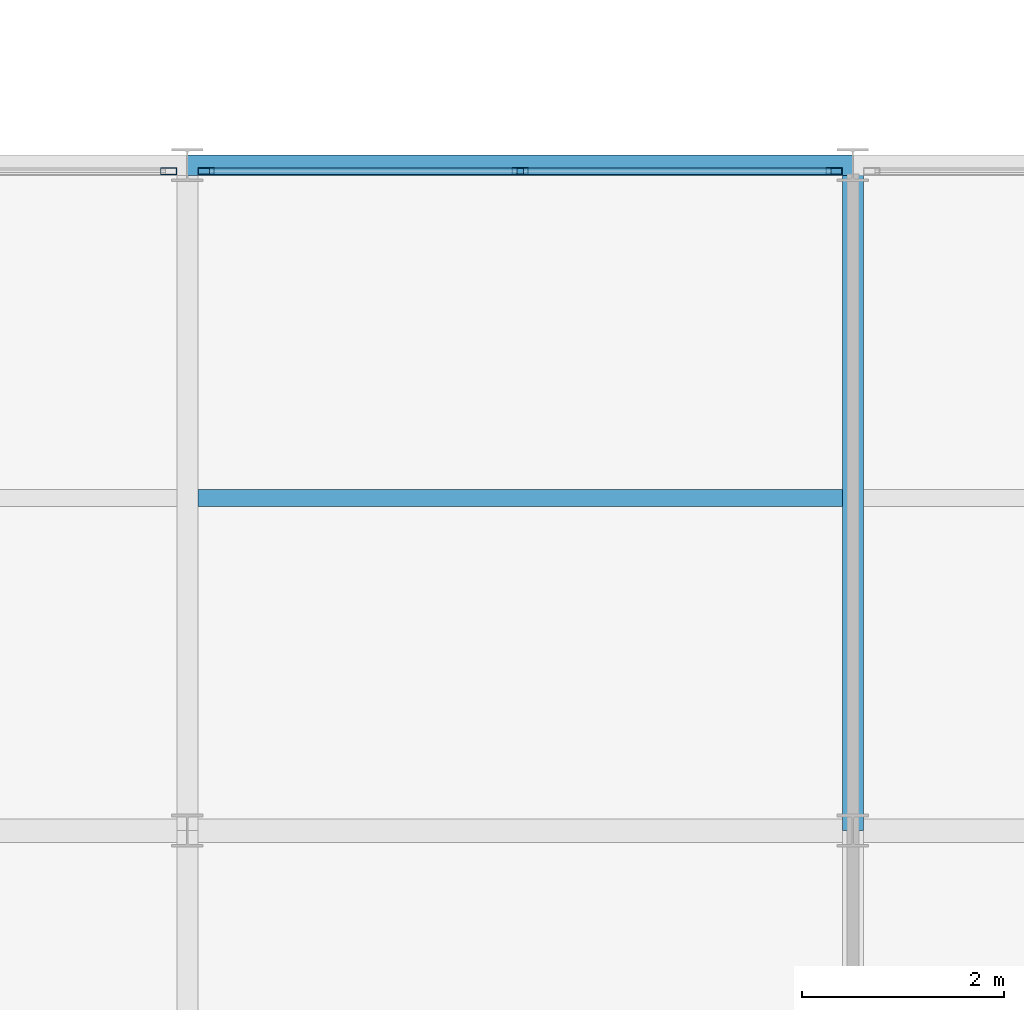
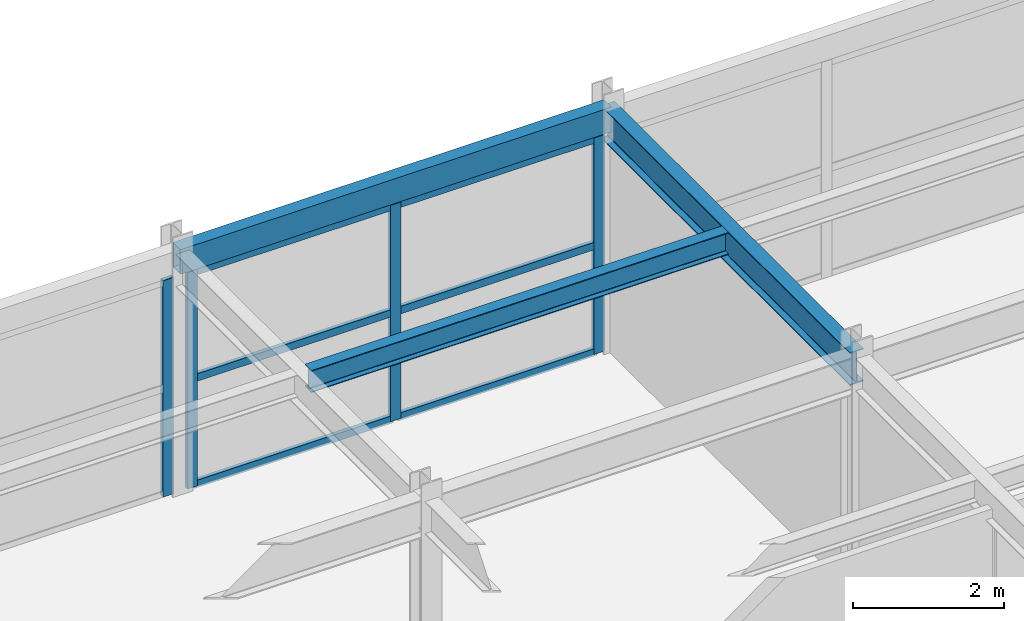
# One storey, part 76 of 106: 10 members, 3 beams, 2 elements without a shape of their own.
"""IFC4 building model written with IfcOpenShell, lengths in metres."""

from ifc_helpers import new_model, si_unit, direction, frame, origin, origin_2d, place, context, subcontext, project, spatial, hollow_rectangle, i_section, extrude, material, material_profile, profile_set, type_object, element, aggregate, save


model = new_model("IFC4")

# Units and contexts
model_context = context("Model", 3, precision=1e-05, world=origin(), true_north=direction((0.0, 1.0)))
body_context = subcontext(model_context, "Body", "Model", "MODEL_VIEW")
ifc_project = project(units=[si_unit("LENGTHUNIT", "METRE"), si_unit("AREAUNIT", "SQUARE_METRE"), si_unit("VOLUMEUNIT", "CUBIC_METRE"), si_unit("PLANEANGLEUNIT", "RADIAN"), si_unit("MASSUNIT", "GRAM", prefix="KILO")], contexts=[model_context])

# Site, building, storey
site_placement = place(None, origin())
site = spatial("IfcSite", under=ifc_project, at=site_placement, CompositionType="ELEMENT")
building_placement = place(site_placement, origin())
building = spatial("IfcBuilding", under=site, at=building_placement, Name="Karori Crest Natural Sciences Institute", CompositionType="ELEMENT")
storey_placement = place(building_placement, frame((0.0, 0.0, 25.89990234375)))
storey = spatial("IfcBuildingStorey", under=building, at=storey_placement, Name="L06", CompositionType="ELEMENT", Elevation=25.89990234375)

# Beams
ifc_material_1 = material(Name="Structural steel AS/NZS 3679.1 Grade 350", Category="steel")
ifc_material_profile_1 = material_profile(ifc_material_1, i_section(OverallWidth=0.208984375, OverallDepth=0.532958984375, WebThickness=0.01025390625, FlangeThickness=0.015625, FilletRadius=0.013916015625, at=origin_2d()), Name="530UB92.4")
ifc_profile_set_1 = profile_set([ifc_material_profile_1], Name="Structural steel AS/NZS 3679.1 Grade 350")
beam_type_1 = type_object("IfcBeamType", Name="BT-05", PredefinedType="BEAM", material=ifc_profile_set_1)
beam_1_placement = place(storey_placement, frame((143.199951171875, 14.0, 3.653564453125), z_axis=(0.0, 1.0, 0.0), x_axis=(-1.0, 0.0, 0.0)))
element("IfcBeam", 1, at=beam_1_placement, inside=storey, type_object=beam_type_1, Name="Beam B-2591", PredefinedType="BEAM", context=body_context, shape_type="SweptSolid", body=[
    extrude(i_section(OverallWidth=0.208984375, OverallDepth=0.532958984375, WebThickness=0.01025390625, FlangeThickness=0.015625, FilletRadius=0.013916015625, at=origin_2d()), origin(), (0.0, 0.0, 1.0), 6.60009765625),
])
ifc_material_profile_2 = material_profile(ifc_material_1, i_section(OverallWidth=0.172119140625, OverallDepth=0.35888671875, WebThickness=0.008056640625, FlangeThickness=0.012939453125, FilletRadius=0.010986328125, at=origin_2d()), Name="360UB56.7")
ifc_profile_set_2 = profile_set([ifc_material_profile_2], Name="Structural steel AS/NZS 3679.1 Grade 350")
beam_type_2 = type_object("IfcBeamType", Name="BT-08", PredefinedType="BEAM", material=ifc_profile_set_2)
beam_2_placement = place(storey_placement, frame((136.70458984375, 17.300048828125, 3.740478515625), z_axis=(1.0, 0.0, 0.0), x_axis=(0.0, 1.0, 0.0)))
element("IfcBeam", 2, at=beam_2_placement, inside=storey, type_object=beam_type_2, Name="Beam B-2611", PredefinedType="BEAM", context=body_context, shape_type="SweptSolid", body=[
    extrude(i_section(OverallWidth=0.172119140625, OverallDepth=0.35888671875, WebThickness=0.008056640625, FlangeThickness=0.012939453125, FilletRadius=0.010986328125, at=origin_2d()), origin(), (0.0, 0.0, 1.0), 6.390869140625),
])
ifc_material_2 = material(Name="Hollow structural steel AS/NZS 1163 Grade C350", Category="steel")
ifc_material_profile_3 = material_profile(ifc_material_2, hollow_rectangle(XDim=0.199951171875, YDim=0.39990234375, WallThickness=0.012451171875, at=origin_2d()), Name="RHS400x200x12.5")
ifc_profile_set_3 = profile_set([ifc_material_profile_3], Name="Hollow structural steel AS/NZS 1163 Grade C350")
beam_type_3 = type_object("IfcBeamType", Name="BT-14", PredefinedType="SPANDREL", material=ifc_profile_set_3)
beam_3_placement = place(storey_placement, frame((136.60009765625, 20.60009765625, 3.72021484375), z_axis=(1.0, 0.0, 0.0), x_axis=(0.0, 1.0, 0.0)))
element("IfcBeam", 3, at=beam_3_placement, inside=storey, type_object=beam_type_3, Name="Beam B-2568", PredefinedType="SPANDREL", context=body_context, shape_type="SweptSolid", body=[
    extrude(hollow_rectangle(XDim=0.199951171875, YDim=0.39990234375, WallThickness=0.012451171875, at=origin_2d()), origin(), (0.0, 0.0, 1.0), 6.599853515625),
])

# Curtain wall, member
ifc_material_3 = material(Name="Anodised architectural aluminium 6063-T6", Category="aluminium")
curtain_wall_type = type_object("IfcCurtainWallType", Name="CWT-20", PredefinedType="NOTDEFINED", material=ifc_material_3)
curtain_wall_1_placement = place(storey_placement, origin())
curtain_wall_1 = element("IfcCurtainWall", 4, at=curtain_wall_1_placement, inside=storey, type_object=curtain_wall_type, Name="Curtain wall CW-0353", PredefinedType="NOTDEFINED")
ifc_material_profile_4 = material_profile(ifc_material_3, hollow_rectangle(XDim=0.06494140625, YDim=0.159912109375, WallThickness=0.00390625, at=origin_2d()), Name="CWM160x65x4")
ifc_profile_set_4 = profile_set([ifc_material_profile_4], Name="Anodised architectural aluminium 6063-T6")
member_type_1 = type_object("IfcMemberType", Name="CWM-01", PredefinedType="MULLION", material=ifc_profile_set_4)
member_1_placement = place(storey_placement, frame((136.4140625, 20.5400390625, 0.0), z_axis=(0.0, 0.0, 1.0), x_axis=(0.0, 1.0, 0.0)))
member_1 = element("IfcMember", 5, at=member_1_placement, type_object=member_type_1, Name="CW-0353 mullion 3", PredefinedType="MULLION", context=body_context, shape_type="SweptSolid", body=[
    extrude(hollow_rectangle(XDim=0.06494140625, YDim=0.159912109375, WallThickness=0.00390625, at=origin_2d()), origin(), (0.0, 0.0, 1.0), 3.505126953125),
])
aggregate(curtain_wall_1, [member_1])

# Curtain wall, members
curtain_wall_2_placement = place(storey_placement, origin())
curtain_wall_2 = element("IfcCurtainWall", 6, at=curtain_wall_2_placement, inside=storey, type_object=curtain_wall_type, Name="Curtain wall CW-0354", PredefinedType="NOTDEFINED")
member_2_placement = place(storey_placement, frame((136.785888671875, 20.5400390625, 0.0), z_axis=(0.0, 0.0, 1.0), x_axis=(0.0, 1.0, 0.0)))
member_2 = element("IfcMember", 7, at=member_2_placement, type_object=member_type_1, Name="CW-0354 mullion 1", PredefinedType="MULLION", context=body_context, shape_type="SweptSolid", body=[
    extrude(hollow_rectangle(XDim=0.06494140625, YDim=0.159912109375, WallThickness=0.00390625, at=origin_2d()), origin(), (0.0, 0.0, 1.0), 3.505126953125),
])
member_3_placement = place(storey_placement, frame((139.89990234375, 20.5400390625, 0.0), z_axis=(0.0, 0.0, 1.0), x_axis=(0.0, 1.0, 0.0)))
member_3 = element("IfcMember", 8, at=member_3_placement, type_object=member_type_1, Name="CW-0354 mullion 2", PredefinedType="MULLION", context=body_context, shape_type="SweptSolid", body=[
    extrude(hollow_rectangle(XDim=0.06494140625, YDim=0.159912109375, WallThickness=0.00390625, at=origin_2d()), origin(), (0.0, 0.0, 1.0), 3.505126953125),
])
member_4_placement = place(storey_placement, frame((143.013916015625, 20.5400390625, 0.0), z_axis=(0.0, 0.0, 1.0), x_axis=(0.0, 1.0, 0.0)))
member_4 = element("IfcMember", 9, at=member_4_placement, type_object=member_type_1, Name="CW-0354 mullion 3", PredefinedType="MULLION", context=body_context, shape_type="SweptSolid", body=[
    extrude(hollow_rectangle(XDim=0.06494140625, YDim=0.159912109375, WallThickness=0.00390625, at=origin_2d()), origin(), (0.0, 0.0, 1.0), 3.505126953125),
])
ifc_material_profile_5 = material_profile(ifc_material_3, hollow_rectangle(XDim=0.06005859375, YDim=0.1201171875, WallThickness=0.00390625, at=origin_2d()), Name="CWT120x60x4")
ifc_profile_set_5 = profile_set([ifc_material_profile_5], Name="Anodised architectural aluminium 6063-T6")
member_type_2 = type_object("IfcMemberType", Name="CWT-TR1", PredefinedType="USERDEFINED", material=ifc_profile_set_5)
member_5_placement = place(storey_placement, frame((136.818603515625, 20.5400390625, 0.030029296875), z_axis=(1.0, 0.0, 0.0), x_axis=(0.0, 1.0, 0.0)))
member_5 = element("IfcMember", 10, at=member_5_placement, type_object=member_type_2, Name="CW-0354 transom 1.1", ObjectType="TRANSOM", PredefinedType="USERDEFINED", context=body_context, shape_type="SweptSolid", body=[
    extrude(hollow_rectangle(XDim=0.06005859375, YDim=0.1201171875, WallThickness=0.00390625, at=origin_2d()), origin(), (0.0, 0.0, 1.0), 3.048828125),
])
member_6_placement = place(storey_placement, frame((136.818603515625, 20.5400390625, 1.752685546875), z_axis=(1.0, 0.0, 0.0), x_axis=(0.0, 1.0, 0.0)))
member_6 = element("IfcMember", 11, at=member_6_placement, type_object=member_type_2, Name="CW-0354 transom 1.2", ObjectType="TRANSOM", PredefinedType="USERDEFINED", context=body_context, shape_type="SweptSolid", body=[
    extrude(hollow_rectangle(XDim=0.06005859375, YDim=0.1201171875, WallThickness=0.00390625, at=origin_2d()), origin(), (0.0, 0.0, 1.0), 3.048828125),
])
member_7_placement = place(storey_placement, frame((136.818603515625, 20.5400390625, 3.47509765625), z_axis=(1.0, 0.0, 0.0), x_axis=(0.0, 1.0, 0.0)))
member_7 = element("IfcMember", 12, at=member_7_placement, type_object=member_type_2, Name="CW-0354 transom 1.3", ObjectType="TRANSOM", PredefinedType="USERDEFINED", context=body_context, shape_type="SweptSolid", body=[
    extrude(hollow_rectangle(XDim=0.06005859375, YDim=0.1201171875, WallThickness=0.00390625, at=origin_2d()), origin(), (0.0, 0.0, 1.0), 3.048828125),
])
member_8_placement = place(storey_placement, frame((139.9326171875, 20.5400390625, 0.030029296875), z_axis=(1.0, 0.0, 0.0), x_axis=(0.0, 1.0, 0.0)))
member_8 = element("IfcMember", 13, at=member_8_placement, type_object=member_type_2, Name="CW-0354 transom 2.1", ObjectType="TRANSOM", PredefinedType="USERDEFINED", context=body_context, shape_type="SweptSolid", body=[
    extrude(hollow_rectangle(XDim=0.06005859375, YDim=0.1201171875, WallThickness=0.00390625, at=origin_2d()), origin(), (0.0, 0.0, 1.0), 3.048828125),
])
member_9_placement = place(storey_placement, frame((139.9326171875, 20.5400390625, 1.752685546875), z_axis=(1.0, 0.0, 0.0), x_axis=(0.0, 1.0, 0.0)))
member_9 = element("IfcMember", 14, at=member_9_placement, type_object=member_type_2, Name="CW-0354 transom 2.2", ObjectType="TRANSOM", PredefinedType="USERDEFINED", context=body_context, shape_type="SweptSolid", body=[
    extrude(hollow_rectangle(XDim=0.06005859375, YDim=0.1201171875, WallThickness=0.00390625, at=origin_2d()), origin(), (0.0, 0.0, 1.0), 3.048828125),
])
member_10_placement = place(storey_placement, frame((139.9326171875, 20.5400390625, 3.47509765625), z_axis=(1.0, 0.0, 0.0), x_axis=(0.0, 1.0, 0.0)))
member_10 = element("IfcMember", 15, at=member_10_placement, type_object=member_type_2, Name="CW-0354 transom 2.3", ObjectType="TRANSOM", PredefinedType="USERDEFINED", context=body_context, shape_type="SweptSolid", body=[
    extrude(hollow_rectangle(XDim=0.06005859375, YDim=0.1201171875, WallThickness=0.00390625, at=origin_2d()), origin(), (0.0, 0.0, 1.0), 3.048828125),
])
aggregate(curtain_wall_2, [member_2, member_3, member_4, member_5, member_6, member_7, member_8, member_9, member_10])

save(model, "model.ifc")
